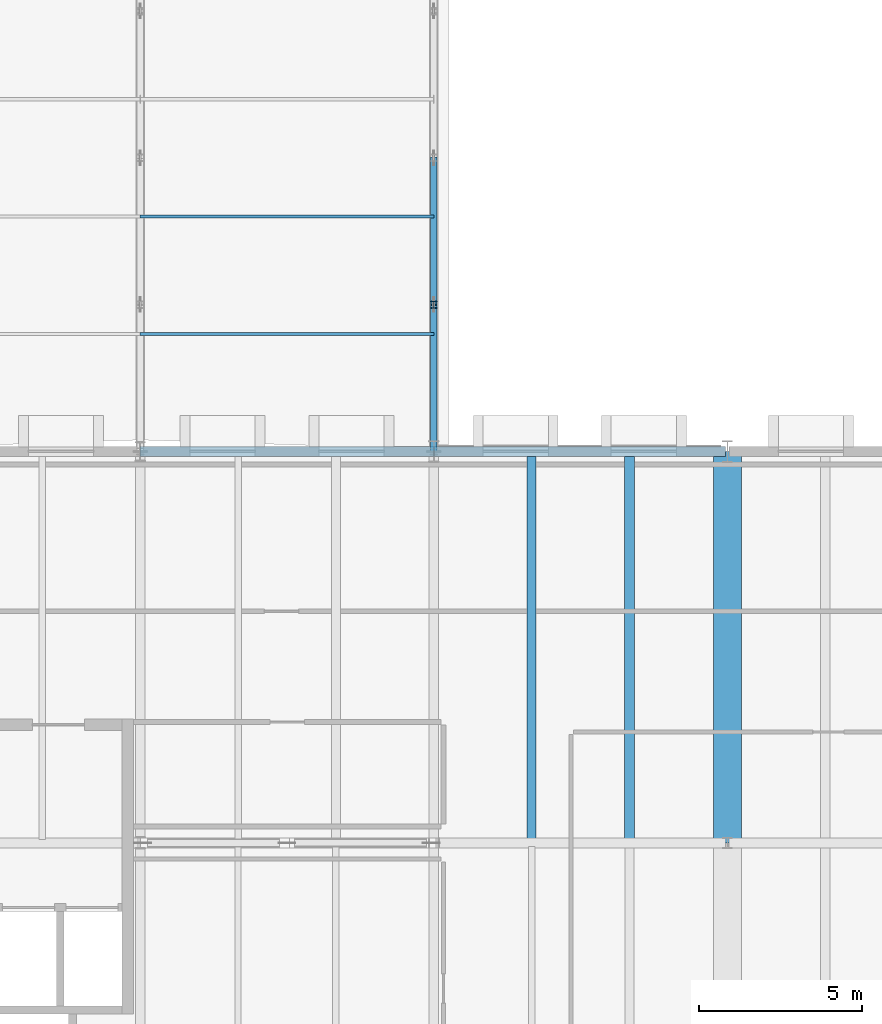
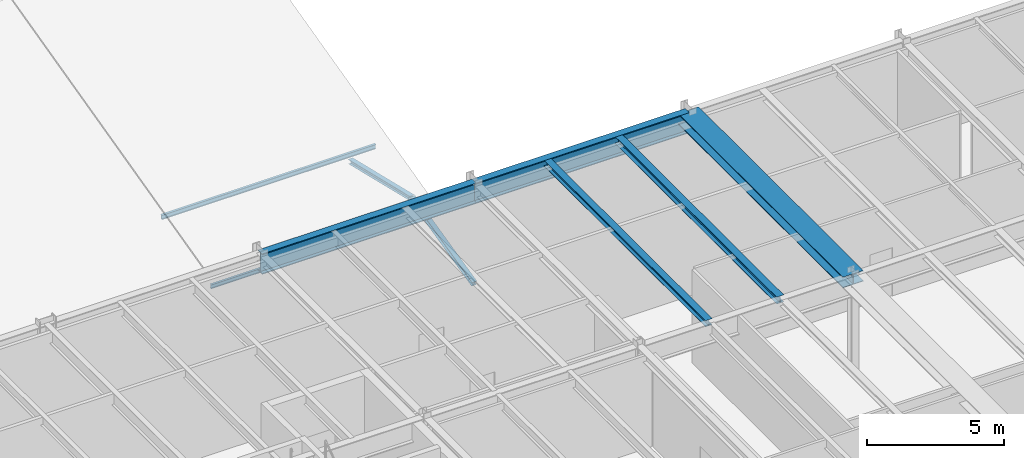
# One storey, part 14 of 67: 5 beams, 5 members.
"""IFC4 building model written with IfcOpenShell, lengths in metres."""

from ifc_helpers import new_model, si_unit, direction, frame, origin, origin_2d, place, context, subcontext, project, spatial, i_section, extrude, material, material_profile, profile_set, type_object, element, save


model = new_model("IFC4")

# Units and contexts
model_context = context("Model", 3, precision=1e-05, world=origin(), true_north=direction((0.0, 1.0)))
body_context = subcontext(model_context, "Body", "Model", "MODEL_VIEW")
ifc_project = project(units=[si_unit("LENGTHUNIT", "METRE"), si_unit("AREAUNIT", "SQUARE_METRE"), si_unit("VOLUMEUNIT", "CUBIC_METRE"), si_unit("PLANEANGLEUNIT", "RADIAN"), si_unit("MASSUNIT", "GRAM", prefix="KILO")], contexts=[model_context])

# Site, building, storey
site_placement = place(None, origin())
site = spatial("IfcSite", under=ifc_project, at=site_placement, CompositionType="ELEMENT")
building_placement = place(site_placement, origin())
building = spatial("IfcBuilding", under=site, at=building_placement, Name="Montelvaro Courts of Justice", CompositionType="ELEMENT")
storey_placement = place(building_placement, frame((0.0, 0.0, 18.89990234375)))
storey = spatial("IfcBuildingStorey", under=building, at=storey_placement, Name="L04", CompositionType="ELEMENT", Elevation=18.89990234375)

# Beams
ifc_material = material(Name="Steel S355", Category="steel")
ifc_material_profile_1 = material_profile(ifc_material, i_section(OverallWidth=0.280029296875, OverallDepth=0.27001953125, WebThickness=0.008056640625, FlangeThickness=0.012939453125, at=origin_2d()), Name="HEA 280")
ifc_profile_set_1 = profile_set([ifc_material_profile_1], Name="Steel S355")
beam_type_1 = type_object("IfcBeamType", Name="Beam_HEA280", PredefinedType="BEAM", material=ifc_profile_set_1)
beam_1_placement = place(storey_placement, frame((75.0, 12.110107421875, 4.125), z_axis=(0.0, 1.0, 0.0), x_axis=(-1.0, 0.0, 0.0)))
element("IfcBeam", 1, at=beam_1_placement, inside=storey, type_object=beam_type_1, Name="Beam B-14 L04", PredefinedType="BEAM", context=body_context, shape_type="SweptSolid", body=[
    extrude(i_section(OverallWidth=0.280029296875, OverallDepth=0.27001953125, WebThickness=0.008056640625, FlangeThickness=0.012939453125, at=origin_2d()), origin(), (0.0, 0.0, 1.0), 11.77978515625),
])
ifc_material_profile_2 = material_profile(ifc_material, i_section(OverallWidth=0.300048828125, OverallDepth=0.31005859375, WebThickness=0.009033203125, FlangeThickness=0.015380859375, at=origin_2d()), Name="HEA 320")
ifc_profile_set_2 = profile_set([ifc_material_profile_2], Name="Steel S355")
beam_type_2 = type_object("IfcBeamType", Name="Beam_HEA320", PredefinedType="BEAM", material=ifc_profile_set_2)
beam_2_placement = place(storey_placement, frame((78.0, 12.110107421875, 4.10498046875), z_axis=(0.0, 1.0, 0.0), x_axis=(-1.0, 0.0, 0.0)))
element("IfcBeam", 2, at=beam_2_placement, inside=storey, type_object=beam_type_2, Name="Beam B-15 L04", PredefinedType="BEAM", context=body_context, shape_type="SweptSolid", body=[
    extrude(i_section(OverallWidth=0.300048828125, OverallDepth=0.31005859375, WebThickness=0.009033203125, FlangeThickness=0.015380859375, at=origin_2d()), origin(), (0.0, 0.0, 1.0), 11.77978515625),
])
ifc_material_profile_3 = material_profile(ifc_material, i_section(OverallWidth=0.302001953125, OverallDepth=0.909912109375, WebThickness=0.02099609375, FlangeThickness=0.0400390625, at=origin_2d()), Name="HEM 900")
ifc_profile_set_3 = profile_set([ifc_material_profile_3], Name="Steel S355")
beam_type_3 = type_object("IfcBeamType", Name="Beam_HEM900", PredefinedType="USERDEFINED", material=ifc_profile_set_3)
beam_3_placement = place(storey_placement, frame((63.0, 24.0, 3.80517578125), z_axis=(1.0, 0.0, 0.0), x_axis=(0.0, 1.0, 0.0)))
element("IfcBeam", 3, at=beam_3_placement, inside=storey, type_object=beam_type_3, Name="Beam B-31 L04", ObjectType="GIRDER", PredefinedType="USERDEFINED", context=body_context, shape_type="SweptSolid", body=[
    extrude(i_section(OverallWidth=0.302001953125, OverallDepth=0.909912109375, WebThickness=0.02099609375, FlangeThickness=0.0400390625, at=origin_2d()), origin(), (0.0, 0.0, 1.0), 9.0),
])
beam_4_placement = place(storey_placement, frame((72.0, 24.0, 3.80517578125), z_axis=(1.0, 0.0, 0.0), x_axis=(0.0, 1.0, 0.0)))
element("IfcBeam", 4, at=beam_4_placement, inside=storey, type_object=beam_type_3, Name="Beam B-31 L04", ObjectType="GIRDER", PredefinedType="USERDEFINED", context=body_context, shape_type="SweptSolid", body=[
    extrude(i_section(OverallWidth=0.302001953125, OverallDepth=0.909912109375, WebThickness=0.02099609375, FlangeThickness=0.0400390625, at=origin_2d()), origin(), (0.0, 0.0, 1.0), 8.949951171875),
])
ifc_material_profile_4 = material_profile(ifc_material, i_section(OverallWidth=0.860107421875, OverallDepth=0.47998046875, WebThickness=0.02001953125, FlangeThickness=0.031982421875, at=origin_2d()), Name="HL 480x860")
ifc_profile_set_4 = profile_set([ifc_material_profile_4], Name="Steel S355")
beam_type_4 = type_object("IfcBeamType", Name="Beam_MJSeat_860", PredefinedType="USERDEFINED", material=ifc_profile_set_4)
beam_5_placement = place(storey_placement, frame((81.0, 12.0, 4.02001953125), z_axis=(0.0, 1.0, 0.0), x_axis=(-1.0, 0.0, 0.0)))
element("IfcBeam", 5, at=beam_5_placement, inside=storey, type_object=beam_type_4, Name="Beam BC-01 L04", ObjectType="GIRDER", PredefinedType="USERDEFINED", context=body_context, shape_type="SweptSolid", body=[
    extrude(i_section(OverallWidth=0.860107421875, OverallDepth=0.47998046875, WebThickness=0.02001953125, FlangeThickness=0.031982421875, at=origin_2d()), origin(), (0.0, 0.0, 1.0), 12.0),
])

# Members
ifc_material_profile_5 = material_profile(ifc_material, i_section(OverallWidth=0.199951171875, OverallDepth=0.18994140625, WebThickness=0.006591796875, FlangeThickness=0.010009765625, at=origin_2d()), Name="HEA 200")
ifc_profile_set_5 = profile_set([ifc_material_profile_5], Name="Steel S355")
member_type_1 = type_object("IfcMemberType", Name="Mem_HEA200_Brace", PredefinedType="BRACE", material=ifc_profile_set_5)
for number, where, z_axis, x_axis, name in (
    (6, (72.0, 24.0, -0.2998046875), (0.0, 0.97263439265, 0.232340995597), (-1.0, 0.0, 0.0), "Roof Truss Web MB-02 ROOF-V3-VTR07-W1"),
    (7, (72.0, 28.5, 0.775146484375), (0.0, 0.97263439265, -0.232340995597), (-1.0, 0.0, 0.0), "Roof Truss Web MB-02 ROOF-V3-VTR07-W2"),
):
    element("IfcMember", number, at=place(storey_placement, frame(where, z_axis=z_axis, x_axis=x_axis)), inside=storey, type_object=member_type_1, Name=name, PredefinedType="BRACE", context=body_context, shape_type="SweptSolid", body=[
        extrude(i_section(OverallWidth=0.199951171875, OverallDepth=0.18994140625, WebThickness=0.006591796875, FlangeThickness=0.010009765625, at=origin_2d()), origin(), (0.0, 0.0, 1.0), 4.626708984375),
    ])
ifc_material_profile_6 = material_profile(ifc_material, i_section(OverallWidth=0.219970703125, OverallDepth=0.2099609375, WebThickness=0.007080078125, FlangeThickness=0.010986328125, at=origin_2d()), Name="HEA 220")
ifc_profile_set_6 = profile_set([ifc_material_profile_6], Name="Steel S355")
member_type_2 = type_object("IfcMemberType", Name="Mem_HEA220_Post", PredefinedType="POST", material=ifc_profile_set_6)
member_1_placement = place(storey_placement, frame((72.0, 28.5, -0.2998046875), z_axis=(0.0, 0.0, 1.0), x_axis=(1.0, 0.0, 0.0)))
element("IfcMember", 8, at=member_1_placement, inside=storey, type_object=member_type_2, Name="Roof Truss Post MP-03 ROOF-V3-VTR07-V1", PredefinedType="POST", context=body_context, shape_type="SweptSolid", body=[
    extrude(i_section(OverallWidth=0.219970703125, OverallDepth=0.2099609375, WebThickness=0.007080078125, FlangeThickness=0.010986328125, at=origin_2d()), origin(), (0.0, 0.0, 1.0), 1.074951171875),
])
ifc_material_profile_7 = material_profile(ifc_material, i_section(OverallWidth=0.091064453125, OverallDepth=0.179931640625, WebThickness=0.00537109375, FlangeThickness=0.008056640625, at=origin_2d()), Name="IPE 180")
ifc_profile_set_7 = profile_set([ifc_material_profile_7], Name="Steel S355")
member_type_3 = type_object("IfcMemberType", Name="Mem_IPE180_Purlin", PredefinedType="PURLIN", material=ifc_profile_set_7)
member_2_placement = place(storey_placement, frame((63.0, 27.60009765625, 0.550048828125), z_axis=(1.0, 0.0, 0.0), x_axis=(0.0, 1.0, 0.0)))
element("IfcMember", 9, at=member_2_placement, inside=storey, type_object=member_type_3, Name="Roof Purlin MR-01 ROOF-V3-PRL-06-1M", PredefinedType="PURLIN", context=body_context, shape_type="SweptSolid", body=[
    extrude(i_section(OverallWidth=0.091064453125, OverallDepth=0.179931640625, WebThickness=0.00537109375, FlangeThickness=0.008056640625, at=origin_2d()), origin(), (0.0, 0.0, 1.0), 9.0),
])
ifc_material_profile_8 = material_profile(ifc_material, i_section(OverallWidth=0.10009765625, OverallDepth=0.199951171875, WebThickness=0.005615234375, FlangeThickness=0.008544921875, at=origin_2d()), Name="IPE 200")
ifc_profile_set_8 = profile_set([ifc_material_profile_8], Name="Steel S355")
member_type_4 = type_object("IfcMemberType", Name="Mem_IPE200_Purlin", PredefinedType="PURLIN", material=ifc_profile_set_8)
member_3_placement = place(storey_placement, frame((63.0, 31.199951171875, 1.4501953125), z_axis=(1.0, 0.0, 0.0), x_axis=(0.0, 1.0, 0.0)))
element("IfcMember", 10, at=member_3_placement, inside=storey, type_object=member_type_4, Name="Roof Purlin MR-02 ROOF-V3-PRL-06-2M", PredefinedType="PURLIN", context=body_context, shape_type="SweptSolid", body=[
    extrude(i_section(OverallWidth=0.10009765625, OverallDepth=0.199951171875, WebThickness=0.005615234375, FlangeThickness=0.008544921875, at=origin_2d()), origin(), (0.0, 0.0, 1.0), 9.0),
])

save(model, "model.ifc")
